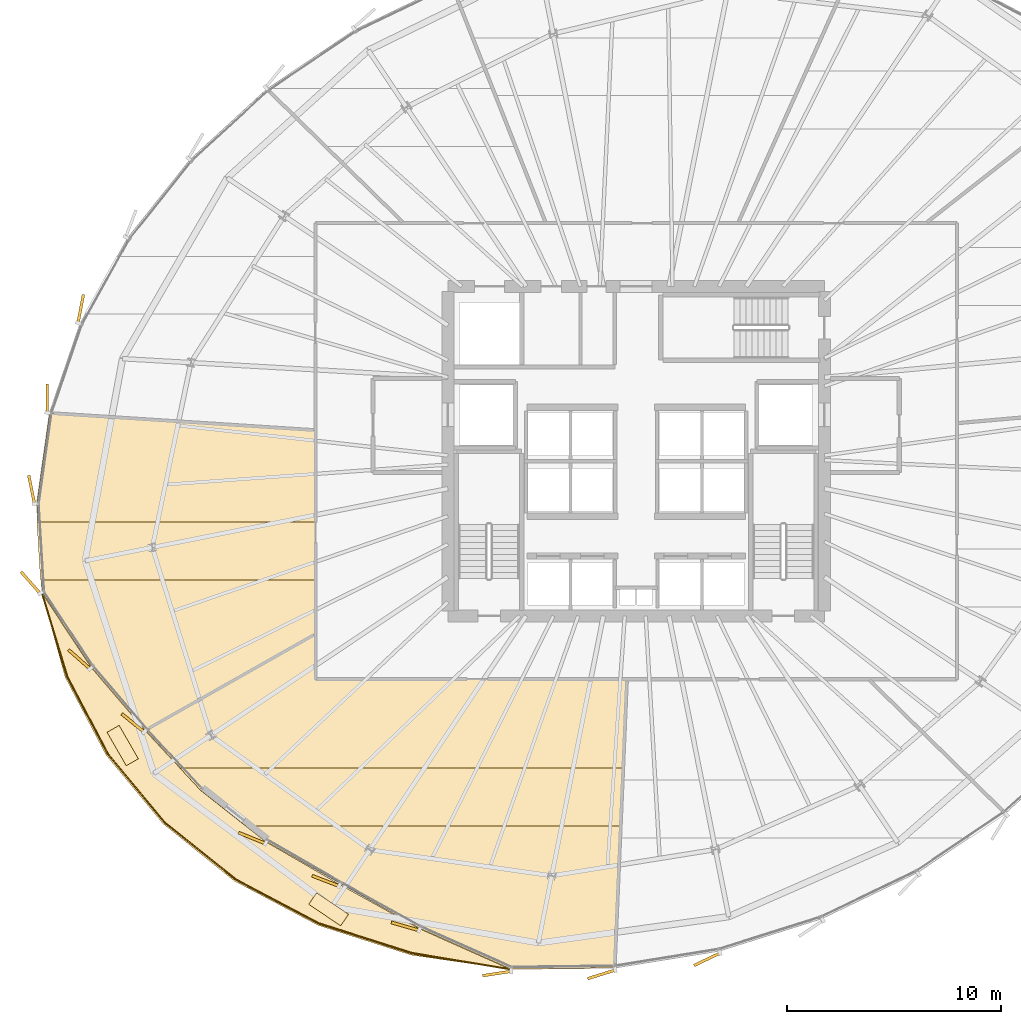
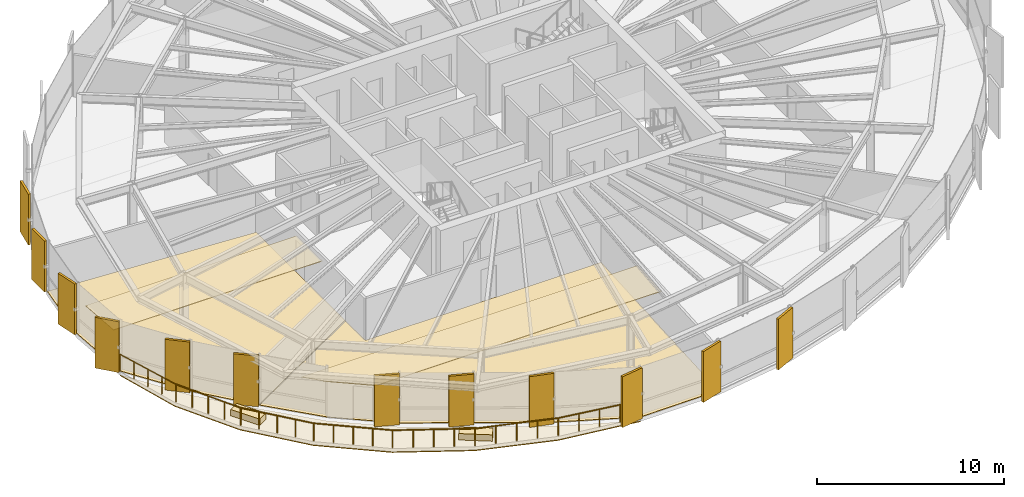
# One storey, part 32 of 35: 19 coverings, 7 railings.
"""IFC4 building model written with IfcOpenShell, lengths in metres."""

from ifc_helpers import new_model, si_unit, direction, frame, origin, origin_2d, place, context, subcontext, project, spatial, polyline, rectangle, circle, outline, extrude, source, transform, mapped, material, layer, layer_set, type_object, element, save


model = new_model("IFC4")

# Units and contexts
model_context = context("Model", 3, precision=1e-05, world=origin(), true_north=direction((0.0, 1.0)))
body_context = subcontext(model_context, "Body", "Model", "MODEL_VIEW")
ifc_project = project(units=[si_unit("LENGTHUNIT", "METRE"), si_unit("AREAUNIT", "SQUARE_METRE"), si_unit("VOLUMEUNIT", "CUBIC_METRE"), si_unit("PLANEANGLEUNIT", "RADIAN"), si_unit("MASSUNIT", "GRAM", prefix="KILO"), si_unit("THERMODYNAMICTEMPERATUREUNIT", "KELVIN")], contexts=[model_context])

# Site, building, storey
site_placement = place(None, origin())
site = spatial("IfcSite", under=ifc_project, at=site_placement, CompositionType="ELEMENT")
building_placement = place(site_placement, origin())
building = spatial("IfcBuilding", under=site, at=building_placement, Name="Kethvar Cultural Tower", CompositionType="ELEMENT")
storey_placement = place(building_placement, frame((0.0, 0.0, 121.60009765625)))
storey = spatial("IfcBuildingStorey", under=building, at=storey_placement, Name="L30", CompositionType="ELEMENT", Elevation=121.60009765625)

# Coverings
ifc_material_1 = material(Name="Acoustic Mineral Fibre Ceiling")
ifc_layer_1 = layer(ifc_material_1, 0.0400390625, Name="Acoustic Mineral Fibre Ceiling")
ifc_layer_set_1 = layer_set([ifc_layer_1], Name="Acoustic Mineral Fibre Ceiling (40 mm)")
covering_type_1 = type_object("IfcCoveringType", Name="CV-ACOUSTIC-CEIL", PredefinedType="CEILING", material=ifc_layer_set_1)
covering_1_placement = place(storey_placement, frame((0.0, 0.0, 2.33984375)))
element("IfcCovering", 1, at=covering_1_placement, inside=storey, type_object=covering_type_1, Name="L30 Room 01 Acoustic Ceiling Panel", PredefinedType="CEILING", context=body_context, shape_type="SweptSolid", body=[
    extrude(outline(polyline([(26.427734375, 11.931396484375), (25.452880859375, 12.982421875), (46.21435546875, 12.982421875), (46.103515625, 10.272216796875), (28.530517578125, 10.272216796875), (26.427734375, 11.931396484375)])), origin(), (0.0, 0.0, 1.0), 0.0400390625),
])
covering_2_placement = place(storey_placement, frame((0.0, 0.0, 2.33984375)))
element("IfcCovering", 2, at=covering_2_placement, inside=storey, type_object=covering_type_1, Name="L30 Room 09 Acoustic Ceiling Panel", PredefinedType="CEILING", context=body_context, shape_type="SweptSolid", body=[
    extrude(outline(polyline([(18.79052734375, 24.480712890625), (31.830078125, 24.480712890625), (31.830078125, 21.770751953125), (18.956298828125, 21.770751953125), (18.79052734375, 24.480712890625)])), origin(), (0.0, 0.0, 1.0), 0.0400390625),
])
ifc_material_2 = material(Name="Insulated Waterproofing Membrane")
ifc_layer_2 = layer(ifc_material_2, 0.06005859375, Name="Insulated Waterproofing Membrane")
ifc_layer_set_2 = layer_set([ifc_layer_2], Name="Insulated Waterproofing Membrane (60 mm)")
covering_type_2 = type_object("IfcCoveringType", Name="CV-ROOF-MEMB", PredefinedType="ROOFING", material=ifc_layer_set_2)
covering_3_placement = place(storey_placement, frame((0.0, 0.0, -0.275146484375)))
element("IfcCovering", 3, at=covering_3_placement, inside=storey, type_object=covering_type_2, Name="L30 Terrace Waterproofing", PredefinedType="ROOFING", context=body_context, shape_type="SweptSolid", body=[
    extrude(outline(polyline([(19.01171875, 21.192626953125), (20.110595703125, 17.23291015625), (22.020263671875, 13.593994140625), (24.682861328125, 10.386962890625), (28.017578125, 7.708984375), (31.9228515625, 5.641357421875), (36.2802734375, 4.2470703125), (40.957275390625, 3.568359375), (36.688232421875, 5.473388671875), (32.951171875, 7.543212890625), (29.477294921875, 9.550537109375), (26.440185546875, 11.947265625), (23.86181640625, 14.72705078125), (21.312255859375, 17.708740234375), (19.01171875, 21.192626953125)])), origin(), (0.0, 0.0, 1.0), 0.06005859375),
])
ifc_material_3 = material(Name="Honed Warm Limestone", Category="masonry")
ifc_layer_3 = layer(ifc_material_3, 0.030029296875, Name="Honed Warm Limestone", Category="masonry")
ifc_layer_set_3 = layer_set([ifc_layer_3], Name="Honed Warm Limestone (30 mm)")
covering_type_3 = type_object("IfcCoveringType", Name="CV-STONE-FLOOR", PredefinedType="FLOORING", material=ifc_layer_set_3)
covering_4_placement = place(storey_placement, origin())
element("IfcCovering", 4, at=covering_4_placement, inside=storey, type_object=covering_type_3, Name="L30 Room 01 Floor Finish", PredefinedType="FLOORING", context=body_context, shape_type="SweptSolid", body=[
    extrude(outline(polyline([(40.96142578125, 3.58837890625), (36.697265625, 5.491455078125), (29.488525390625, 9.567138671875), (26.453857421875, 11.9619140625), (23.8935546875, 14.72216796875), (31.7900390625, 19.222412109375), (31.80810546875, 17.1201171875), (46.343505859375, 17.1201171875), (45.792724609375, 3.645751953125), (40.96142578125, 3.58837890625)])), origin(), (0.0, 0.0, 1.0), 0.02978515625),
])
covering_5_placement = place(storey_placement, origin())
element("IfcCovering", 5, at=covering_5_placement, inside=storey, type_object=covering_type_3, Name="L30 Room 09 Floor Finish", PredefinedType="FLOORING", context=body_context, shape_type="SweptSolid", body=[
    extrude(outline(polyline([(21.328369140625, 17.720703125), (19.03125, 21.19921875), (18.77734375, 25.3525390625), (19.3720703125, 29.567138671875), (31.7900390625, 28.758056640625), (31.7900390625, 19.2685546875), (23.8662109375, 14.752685546875), (21.328369140625, 17.720703125)])), origin(), (0.0, 0.0, 1.0), 0.02978515625),
])

# Railings
ifc_material_4 = material(Name="Steel S355J2", Category="steel")
railing_type = type_object("IfcRailingType", Name="RL-EXT-GUARD-1150", PredefinedType="BALUSTRADE", material=ifc_material_4)
railing_1_placement = place(storey_placement, frame((19.01171875, 21.192626953125, 0.0)))
element("IfcRailing", 6, at=railing_1_placement, inside=storey, type_object=railing_type, Name="L30 Spiralling Terrace Balustrade 01", PredefinedType="BALUSTRADE", context=body_context, shape_type="SweptSolid", body=[
    extrude(circle(Radius=0.02392578125, at=origin_2d()), frame((0.0, 0.0, 1.1259765625), z_axis=(0.290711370737, -0.956810795782, 0.0), x_axis=(0.956810795782, 0.290711370737, 0.0)), (0.0, 0.0, 1.0), 4.099853515625),
    extrude(circle(Radius=0.02099609375, at=origin_2d()), origin(), (0.0, 0.0, 1.0), 1.101806640625),
    extrude(circle(Radius=0.02099609375, at=origin_2d()), frame((0.2978515625, -0.980712890625, 0.0)), (0.0, 0.0, 1.0), 1.101806640625),
    extrude(circle(Radius=0.02099609375, at=origin_2d()), frame((0.595947265625, -1.96142578125, 0.0)), (0.0, 0.0, 1.0), 1.101806640625),
    extrude(circle(Radius=0.02099609375, at=origin_2d()), frame((0.89404296875, -2.942138671875, 0.0)), (0.0, 0.0, 1.0), 1.101806640625),
    extrude(circle(Radius=0.02099609375, at=origin_2d()), frame((1.19189453125, -3.9228515625, 0.0)), (0.0, 0.0, 1.0), 1.101806640625),
])
railing_2_placement = place(storey_placement, frame((20.20361328125, 17.269775390625, 0.0)))
element("IfcRailing", 7, at=railing_2_placement, inside=storey, type_object=railing_type, Name="L30 Spiralling Terrace Balustrade 02", PredefinedType="BALUSTRADE", context=body_context, shape_type="SweptSolid", body=[
    extrude(circle(Radius=0.02392578125, at=origin_2d()), frame((0.0, 0.0, 1.1259765625), z_axis=(0.464819878693, -0.885405263352, 0.0), x_axis=(0.885405263352, 0.464819878693, 0.0)), (0.0, 0.0, 1.0), 4.09521484375),
    extrude(circle(Radius=0.02099609375, at=origin_2d()), origin(), (0.0, 0.0, 1.0), 1.101806640625),
    extrude(circle(Radius=0.02099609375, at=origin_2d()), frame((0.475830078125, -0.906494140625, 0.0)), (0.0, 0.0, 1.0), 1.101806640625),
    extrude(circle(Radius=0.02099609375, at=origin_2d()), frame((0.95166015625, -1.81298828125, 0.0)), (0.0, 0.0, 1.0), 1.101806640625),
    extrude(circle(Radius=0.02099609375, at=origin_2d()), frame((1.427734375, -2.719482421875, 0.0)), (0.0, 0.0, 1.0), 1.101806640625),
    extrude(circle(Radius=0.02099609375, at=origin_2d()), frame((1.903564453125, -3.6259765625, 0.0)), (0.0, 0.0, 1.0), 1.101806640625),
])
railing_3_placement = place(storey_placement, frame((22.107177734375, 13.643798828125, 0.0)))
element("IfcRailing", 8, at=railing_3_placement, inside=storey, type_object=railing_type, Name="L30 Spiralling Terrace Balustrade 03", PredefinedType="BALUSTRADE", context=body_context, shape_type="SweptSolid", body=[
    extrude(circle(Radius=0.02392578125, at=origin_2d()), frame((0.0, 0.0, 1.1259765625), z_axis=(0.639038955153, -0.769174371516, 0.0), x_axis=(0.769174371516, 0.639038955153, 0.0)), (0.0, 0.0, 1.0), 4.153564453125),
    extrude(circle(Radius=0.02099609375, at=origin_2d()), origin(), (0.0, 0.0, 1.0), 1.101806640625),
    extrude(circle(Radius=0.02099609375, at=origin_2d()), frame((0.66357421875, -0.798828125, 0.0)), (0.0, 0.0, 1.0), 1.101806640625),
    extrude(circle(Radius=0.02099609375, at=origin_2d()), frame((1.3271484375, -1.597412109375, 0.0)), (0.0, 0.0, 1.0), 1.101806640625),
    extrude(circle(Radius=0.02099609375, at=origin_2d()), frame((1.99072265625, -2.39599609375, 0.0)), (0.0, 0.0, 1.0), 1.101806640625),
    extrude(circle(Radius=0.02099609375, at=origin_2d()), frame((2.654296875, -3.19482421875, 0.0)), (0.0, 0.0, 1.0), 1.101806640625),
])
railing_4_placement = place(storey_placement, frame((24.761474609375, 10.448974609375, 0.0)))
element("IfcRailing", 9, at=railing_4_placement, inside=storey, type_object=railing_type, Name="L30 Spiralling Terrace Balustrade 04", PredefinedType="BALUSTRADE", context=body_context, shape_type="SweptSolid", body=[
    extrude(circle(Radius=0.02392578125, at=origin_2d()), frame((0.0, 0.0, 1.1259765625), z_axis=(0.78001862687, -0.625756295802, 0.0), x_axis=(0.625756295802, 0.78001862687, 0.0)), (0.0, 0.0, 1.0), 4.261962890625),
    extrude(circle(Radius=0.02099609375, at=origin_2d()), origin(), (0.0, 0.0, 1.0), 1.101806640625),
    extrude(circle(Radius=0.02099609375, at=origin_2d()), frame((0.8310546875, -0.666748046875, 0.0)), (0.0, 0.0, 1.0), 1.101806640625),
    extrude(circle(Radius=0.02099609375, at=origin_2d()), frame((1.662109375, -1.33349609375, 0.0)), (0.0, 0.0, 1.0), 1.101806640625),
    extrude(circle(Radius=0.02099609375, at=origin_2d()), frame((2.493408203125, -2.000244140625, 0.0)), (0.0, 0.0, 1.0), 1.101806640625),
    extrude(circle(Radius=0.02099609375, at=origin_2d()), frame((3.324462890625, -2.6669921875, 0.0)), (0.0, 0.0, 1.0), 1.101806640625),
])
railing_5_placement = place(storey_placement, frame((28.0859375, 7.781982421875, 0.0)))
element("IfcRailing", 10, at=railing_5_placement, inside=storey, type_object=railing_type, Name="L30 Spiralling Terrace Balustrade 05", PredefinedType="BALUSTRADE", context=body_context, shape_type="SweptSolid", body=[
    extrude(circle(Radius=0.02392578125, at=origin_2d()), frame((0.0, 0.0, 1.1259765625), z_axis=(0.884084467584, -0.467327138284, 0.0), x_axis=(0.467327138284, 0.884084467584, 0.0)), (0.0, 0.0, 1.0), 4.40283203125),
    extrude(circle(Radius=0.02099609375, at=origin_2d()), origin(), (0.0, 0.0, 1.0), 1.101806640625),
    extrude(circle(Radius=0.02099609375, at=origin_2d()), frame((0.97314453125, -0.514404296875, 0.0)), (0.0, 0.0, 1.0), 1.101806640625),
    extrude(circle(Radius=0.02099609375, at=origin_2d()), frame((1.9462890625, -1.02880859375, 0.0)), (0.0, 0.0, 1.0), 1.101806640625),
    extrude(circle(Radius=0.02099609375, at=origin_2d()), frame((2.91943359375, -1.543212890625, 0.0)), (0.0, 0.0, 1.0), 1.101806640625),
    extrude(circle(Radius=0.02099609375, at=origin_2d()), frame((3.892578125, -2.0576171875, 0.0)), (0.0, 0.0, 1.0), 1.101806640625),
])
railing_6_placement = place(storey_placement, frame((31.978515625, 5.724365234375, 0.0)))
element("IfcRailing", 11, at=railing_6_placement, inside=storey, type_object=railing_type, Name="L30 Spiralling Terrace Balustrade 06", PredefinedType="BALUSTRADE", context=body_context, shape_type="SweptSolid", body=[
    extrude(circle(Radius=0.02392578125, at=origin_2d()), frame((0.0, 0.0, 1.1259765625), z_axis=(0.952654590156, -0.304054652742, 0.0), x_axis=(0.304054652742, 0.952654590156, 0.0)), (0.0, 0.0, 1.0), 4.558349609375),
    extrude(circle(Radius=0.02099609375, at=origin_2d()), origin(), (0.0, 0.0, 1.0), 1.101806640625),
    extrude(circle(Radius=0.02099609375, at=origin_2d()), frame((1.085693359375, -0.346435546875, 0.0)), (0.0, 0.0, 1.0), 1.101806640625),
    extrude(circle(Radius=0.02099609375, at=origin_2d()), frame((2.17138671875, -0.69287109375, 0.0)), (0.0, 0.0, 1.0), 1.101806640625),
    extrude(circle(Radius=0.02099609375, at=origin_2d()), frame((3.2568359375, -1.03955078125, 0.0)), (0.0, 0.0, 1.0), 1.101806640625),
    extrude(circle(Radius=0.02099609375, at=origin_2d()), frame((4.342529296875, -1.385986328125, 0.0)), (0.0, 0.0, 1.0), 1.101806640625),
])
railing_7_placement = place(storey_placement, frame((36.321044921875, 4.33837890625, 0.0)))
element("IfcRailing", 12, at=railing_7_placement, inside=storey, type_object=railing_type, Name="L30 Spiralling Terrace Balustrade 07", PredefinedType="BALUSTRADE", context=body_context, shape_type="SweptSolid", body=[
    extrude(circle(Radius=0.02392578125, at=origin_2d()), frame((0.0, 0.0, 1.1259765625), z_axis=(0.986486430571, -0.163842980622, 0.0), x_axis=(0.163842980622, 0.986486430571, 0.0)), (0.0, 0.0, 1.0), 4.69970703125),
    extrude(circle(Radius=0.02099609375, at=origin_2d()), origin(), (0.0, 0.0, 1.0), 1.101806640625),
    extrude(circle(Radius=0.02099609375, at=origin_2d()), frame((1.1591796875, -0.1923828125, 0.0)), (0.0, 0.0, 1.0), 1.101806640625),
    extrude(circle(Radius=0.02099609375, at=origin_2d()), frame((2.318115234375, -0.385009765625, 0.0)), (0.0, 0.0, 1.0), 1.101806640625),
    extrude(circle(Radius=0.02099609375, at=origin_2d()), frame((3.47705078125, -0.57763671875, 0.0)), (0.0, 0.0, 1.0), 1.101806640625),
    extrude(circle(Radius=0.02099609375, at=origin_2d()), frame((4.63623046875, -0.77001953125, 0.0)), (0.0, 0.0, 1.0), 1.101806640625),
])

# Coverings
ifc_material_5 = material(Name="Extruded Architectural Terracotta", Category="masonry")
ifc_layer_4 = layer(ifc_material_5, 0.419921875, Name="Extruded Architectural Terracotta", Category="masonry")
ifc_layer_set_4 = layer_set([ifc_layer_4], Name="Extruded Architectural Terracotta (420 mm)")
covering_type_4 = type_object("IfcCoveringType", Name="Terracotta Terrace Planter PLANTER-01", PredefinedType="USERDEFINED", material=ifc_layer_set_4)
shared_shape_1 = source(origin(), body_context, "Body", "SweptSolid", [
    extrude(rectangle(XDim=1.800048828125, YDim=0.64990234375, at=origin_2d()), origin(), (0.0, 0.0, 1.0), 0.419921875),
])
for number, where, z_axis, x_axis, name in (
    (13, (22.801025390625, 14.041748046875, 0.0), (0.0, 0.0, 1.0), (0.497428253812, -0.867505119472, 0.0), "L30 Sky Terrace Planter Box A"),
    (14, (32.424560546875, 6.388427734375, 0.0), (0.0, 0.0, 1.0), (0.830206924295, -0.557455346062, 0.0), "L30 Sky Terrace Planter Box B"),
):
    element("IfcCovering", number, at=place(storey_placement, frame(where, z_axis=z_axis, x_axis=x_axis)), inside=storey, type_object=covering_type_4, Name=name, ObjectType="PLANTER", PredefinedType="USERDEFINED", context=body_context, shape_type="MappedRepresentation", body=[
        mapped(shared_shape_1, transform((0.0, 0.0, 0.0), scale=1.0)),
    ])
ifc_layer_5 = layer(ifc_material_5, 0.135009765625, Name="Extruded Architectural Terracotta", Category="masonry")
ifc_layer_set_5 = layer_set([ifc_layer_5], Name="Extruded Architectural Terracotta (135 mm)")
covering_type_5 = type_object("IfcCoveringType", Name="Terracotta Facade Fin FIN-02", PredefinedType="CLADDING", material=ifc_layer_set_5)
shared_shape_2 = source(origin(), body_context, "Body", "SweptSolid", [
    extrude(rectangle(XDim=1.35009765625, YDim=0.135009765625, at=origin_2d()), origin(), (0.0, 0.0, 1.0), 3.31005859375),
])
for number, where, z_axis, x_axis, name in (
    (15, (20.83837890625, 34.45751953125, 0.019775390625), (0.0, 0.0, 1.0), (0.18909544299, 0.981958712696, 0.0), "L30 Vertical Terracotta Fin 3.3"),
    (16, (19.276123046875, 30.2744140625, 0.019775390625), (0.0, 0.0, 1.0), (0.000523598752, 0.999999862922, 0.0), "L30 Vertical Terracotta Fin 3.4"),
    (17, (18.54296875, 26.009765625, 0.019775390625), (0.0, 0.0, 1.0), (-0.199367934417, 0.979924704621, 0.0), "L30 Vertical Terracotta Fin 3.5"),
    (18, (18.498291015625, 21.65478515625, 0.019775390625), (0.0, 0.0, 1.0), (-0.66183538044, 0.749649204093, 0.0), "L30 Vertical Terracotta Fin 3.6"),
    (19, (20.77099609375, 18.07421875, 0.019775390625), (0.0, 0.0, 1.0), (-0.749302565154, 0.662227805105, 0.0), "L30 Vertical Terracotta Fin 4.1"),
    (20, (23.279541015625, 15.098876953125, 0.019775390625), (0.0, 0.0, 1.0), (-0.775495743172, 0.631352795449, 0.0), "L30 Vertical Terracotta Fin 4.2"),
    (21, (28.84521484375, 9.71484375, 0.019775390625), (0.0, 0.0, 1.0), (-0.927053035713, 0.374930218808, 0.0), "L30 Vertical Terracotta Fin 5.1"),
    (22, (32.2822265625, 7.71484375, 0.019775390625), (0.0, 0.0, 1.0), (-0.933705463631, 0.358042046673, 0.0), "L30 Vertical Terracotta Fin 5.2"),
    (23, (36.007080078125, 5.5869140625, 0.019775390625), (0.0, 0.0, 1.0), (-0.961020790978, 0.276476109834, 0.0), "L30 Vertical Terracotta Fin 5.3"),
    (24, (40.291015625, 3.386474609375, 0.019775390625), (0.0, 0.0, 1.0), (-0.988546626572, -0.15091576158, 0.0), "L30 Vertical Terracotta Fin 5.4"),
    (25, (45.179931640625, 3.347412109375, 0.019775390625), (0.0, 0.0, 1.0), (-0.955226736782, -0.295874773066, 0.0), "L30 Vertical Terracotta Fin 5.5"),
    (26, (50.111328125, 4.05126953125, 0.019775390625), (0.0, 0.0, 1.0), (-0.90258528435, -0.430511096808, 0.0), "L30 Vertical Terracotta Fin 5.6"),
):
    element("IfcCovering", number, at=place(storey_placement, frame(where, z_axis=z_axis, x_axis=x_axis)), inside=storey, type_object=covering_type_5, Name=name, PredefinedType="CLADDING", context=body_context, shape_type="MappedRepresentation", body=[
        mapped(shared_shape_2, transform((0.0, 0.0, 0.0), scale=1.0)),
    ])

save(model, "model.ifc")
